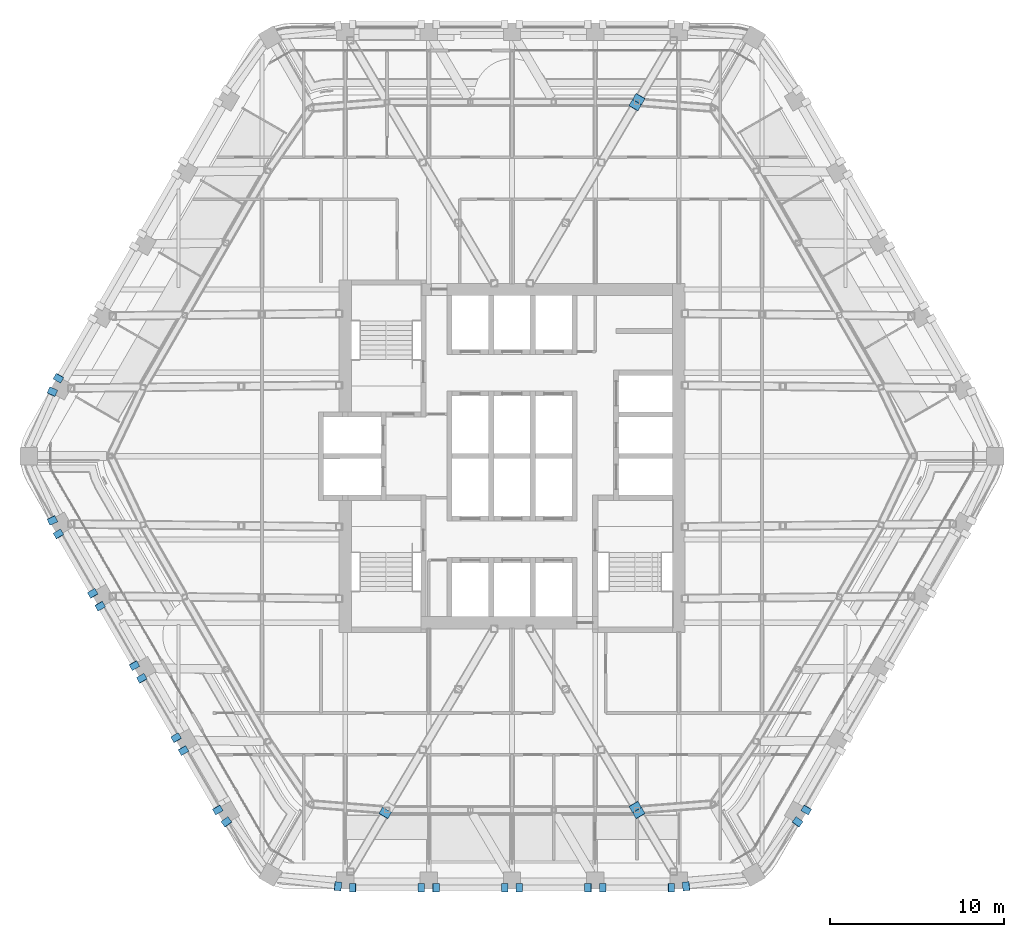
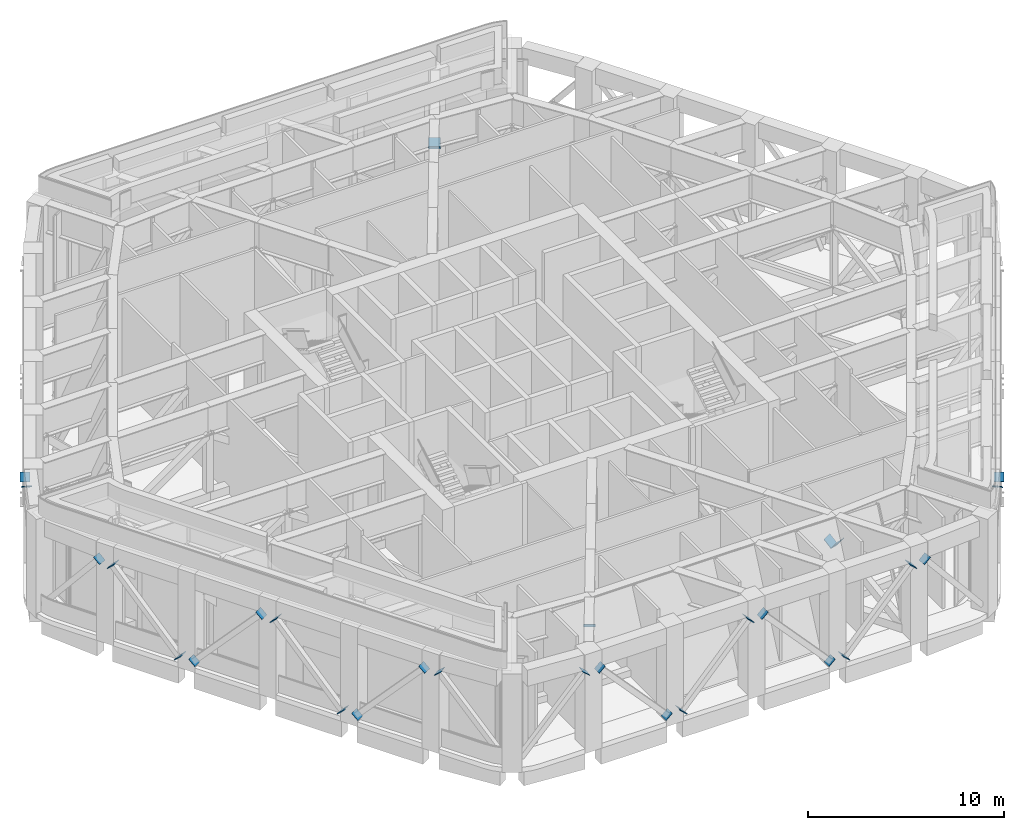
# One storey, part 20 of 24: 29 discrete accessories.
"""IFC4 building model written with IfcOpenShell, lengths in metres."""

import ifcopenshell
import ifcopenshell.guid

model = None  # the IFC model being written
_history = None  # IfcOwnerHistory: only IFC2X3 demands one
_inside = {}  # id of a spatial element -> (the spatial element, [elements in it])
_under = {}  # id of a project, library or spatial element -> (it, [spatial elements below it])
_declared = {}  # id of a project -> (the project, [libraries it declares])
_typed = {}  # id of a type object -> (the type object, [elements of that type])
_made_of = {}  # id of a material, layer set ... -> (it, [elements and type objects made of it])


def new_model(schema):
    """Start an empty IFC model of exactly this schema.

    Asked for "IFC4X3", IfcOpenShell would pick the latest addendum, in which some entities
    have other attributes; the version numbers below select the first issue.
    IFC2X3 requires an IfcOwnerHistory on every rooted entity: one is made here for all.
    """
    global model, _history
    if schema == "IFC4X3":
        model = ifcopenshell.file(schema_version=(4, 3, 0, 0))
    else:
        model = ifcopenshell.file(schema=schema)
    _inside.clear()
    _under.clear()
    _declared.clear()
    _typed.clear()
    _made_of.clear()
    _history = None
    if model.schema == "IFC2X3":
        org = make("IfcOrganization", Name="unknown")
        user = make(
            "IfcPersonAndOrganization",
            ThePerson=make("IfcPerson", FamilyName="unknown"),
            TheOrganization=org,
        )
        app = make(
            "IfcApplication",
            ApplicationDeveloper=org,
            Version="unknown",
            ApplicationFullName="unknown",
            ApplicationIdentifier="unknown",
        )
        _history = make(
            "IfcOwnerHistory",
            OwningUser=user,
            OwningApplication=app,
            ChangeAction="ADDED",
            CreationDate=0,
        )
    return model


def make(cls, **values):
    """One entity of the class cls with the attributes given. An attribute that is None is left unset."""
    return model.create_entity(
        cls, **{name: value for name, value in values.items() if value is not None}
    )


def rooted(cls, **values):
    """An entity with a GlobalId (a new one), such as an element, a storey or a relation."""
    return make(cls, GlobalId=ifcopenshell.guid.new(), OwnerHistory=_history, **values)


def si_unit(unit_type, name, prefix=None):
    """IfcSIUnit, for example si_unit("LENGTHUNIT", "METRE", prefix="MILLI")."""
    return make("IfcSIUnit", UnitType=unit_type, Prefix=prefix, Name=name)


def assignment(units):
    """IfcUnitAssignment: the units of a project."""
    return None if units is None else make("IfcUnitAssignment", Units=units)


def point(xyz):
    """IfcCartesianPoint."""
    return None if xyz is None else make("IfcCartesianPoint", Coordinates=xyz)


def direction(xyz):
    """IfcDirection."""
    return None if xyz is None else make("IfcDirection", DirectionRatios=xyz)


def frame(location, z_axis=None, x_axis=None):
    """IfcAxis2Placement3D, a coordinate frame: its origin and axes. An axis left out is left unset."""
    return make(
        "IfcAxis2Placement3D",
        Location=point(location),
        Axis=direction(z_axis),
        RefDirection=direction(x_axis),
    )


def frame_2d(location, x_axis=None):
    """IfcAxis2Placement2D, a coordinate frame in the plane: its origin and x axis."""
    return make(
        "IfcAxis2Placement2D", Location=point(location), RefDirection=direction(x_axis)
    )


def origin():
    """The frame at (0, 0, 0) with its axes left unset."""
    return frame((0.0, 0.0, 0.0))


def origin_2d():
    """The frame at (0, 0) in the plane with its x axis left unset."""
    return frame_2d((0.0, 0.0))


def place(relative_to, where):
    """IfcLocalPlacement: puts the frame where relative to a parent placement (None: the world)."""
    return make(
        "IfcLocalPlacement", PlacementRelTo=relative_to, RelativePlacement=where
    )


def context(
    kind, dimensions, precision=None, world=None, true_north=None, identifier=None
):
    """IfcGeometricRepresentationContext, for example the 3D "Model" context."""
    return make(
        "IfcGeometricRepresentationContext",
        ContextIdentifier=identifier,
        ContextType=kind,
        CoordinateSpaceDimension=dimensions,
        Precision=precision,
        WorldCoordinateSystem=world,
        TrueNorth=true_north,
    )


def subcontext(parent, identifier, kind, view, scale=None):
    """IfcGeometricRepresentationSubContext, for example "Body" below "Model"."""
    return make(
        "IfcGeometricRepresentationSubContext",
        ContextIdentifier=identifier,
        ContextType=kind,
        ParentContext=parent,
        TargetScale=scale,
        TargetView=view,
    )


def project(units=None, contexts=None):
    """IfcProject with its units and contexts."""
    return rooted(
        "IfcProject",
        Name="project",
        RepresentationContexts=contexts,
        UnitsInContext=assignment(units),
    )


def spatial(cls, under=None, at=None, **own):
    """A site, building, storey or space (cls), placed at a placement, below another one or the project."""
    s = rooted(cls, ObjectPlacement=at, **own)
    if under is not None:
        _under.setdefault(under.id(), (under, []))[1].append(s)
    return s


def profile(cls, at=None, kind="AREA", **sizes):
    """A parametric profile (cls). Its sizes go by their IFC names, for example OverallWidth=200.0."""
    return make(cls, ProfileType=kind, Position=at, **sizes)


def rectangle(**sizes):
    """IfcRectangleProfileDef."""
    return profile("IfcRectangleProfileDef", **sizes)


def extrude(swept, where, along, depth):
    """IfcExtrudedAreaSolid: the profile swept, set in the frame where, extruded along a direction by depth."""
    return make(
        "IfcExtrudedAreaSolid",
        SweptArea=swept,
        Position=where,
        ExtrudedDirection=direction(along),
        Depth=depth,
    )


def shape(context_of_items, identifier, shape_type, items):
    """IfcShapeRepresentation: the items that make up one representation, for example the "Body"."""
    return make(
        "IfcShapeRepresentation",
        ContextOfItems=context_of_items,
        RepresentationIdentifier=identifier,
        RepresentationType=shape_type,
        Items=items,
    )


def made_of(thing, what):
    """Note that an element or type object is made of a material, layer set ...; save() writes the relation."""
    if what is not None:
        _made_of.setdefault(what.id(), (what, []))[1].append(thing)
    return thing


def element(
    cls,
    number,
    at=None,
    inside=None,
    cuts=None,
    type_object=None,
    material=None,
    context=None,
    identifier="Body",
    shape_type=None,
    held_by="IfcProductDefinitionShape",
    body=None,
    shapes=None,
    **own,
):
    """One element of the class cls, such as IfcWall. Its Tag is "e" and its number.

    at: its placement. inside: the storey or other place that contains it. cuts: it is an
    opening in that element (IfcRelVoidsElement). A single representation is given by context,
    identifier, shape_type and body (its items); several are given by shapes. held_by: the class
    of the entity that holds the representations. save() writes the other relations.
    """
    e = rooted(cls, Tag="e%d" % number, ObjectPlacement=at, **own)
    if body is not None:
        shapes = [shape(context, identifier, shape_type, body)]
    if shapes is not None:
        e.Representation = make(held_by, Representations=shapes)
    if inside is not None:
        _inside.setdefault(inside.id(), (inside, []))[1].append(e)
    if cuts is not None:
        rooted(
            "IfcRelVoidsElement", RelatingBuildingElement=cuts, RelatedOpeningElement=e
        )
    if type_object is not None:
        _typed.setdefault(type_object.id(), (type_object, []))[1].append(e)
    return made_of(e, material)


def aggregate(whole, parts):
    """IfcRelAggregates: a whole, such as a stair, and the parts it consists of."""
    return rooted("IfcRelAggregates", RelatingObject=whole, RelatedObjects=parts)


def save(model, path):
    """Write the relations noted so far, then the file.

    IfcRelAggregates (storeys below a building ...), IfcRelContainedInSpatialStructure (elements
    in a storey), IfcRelDefinesByType, IfcRelAssociatesMaterial and IfcRelDeclares: one each for
    every whole, place, type object, material and project.
    """
    for whole, parts in _under.values():
        aggregate(whole, parts)
    for where, things in _inside.values():
        rooted(
            "IfcRelContainedInSpatialStructure",
            RelatedElements=things,
            RelatingStructure=where,
        )
    for kind, things in _typed.values():
        rooted("IfcRelDefinesByType", RelatedObjects=things, RelatingType=kind)
    for what, things in _made_of.values():
        rooted("IfcRelAssociatesMaterial", RelatedObjects=things, RelatingMaterial=what)
    for by, libraries in _declared.values():
        rooted("IfcRelDeclares", RelatingContext=by, RelatedDefinitions=libraries)
    model.write(path)


model = new_model("IFC4")

# Units and contexts
model_context = context("Model", 3, precision=1e-05, world=origin(), true_north=direction((0.0, 1.0)))
body_context = subcontext(model_context, "Body", "Model", "MODEL_VIEW")
ifc_project = project(units=[si_unit("LENGTHUNIT", "METRE"), si_unit("AREAUNIT", "SQUARE_METRE"), si_unit("VOLUMEUNIT", "CUBIC_METRE"), si_unit("PLANEANGLEUNIT", "RADIAN"), si_unit("MASSUNIT", "GRAM", prefix="KILO")], contexts=[model_context])

# Site, building, storey
site_placement = place(None, origin())
site = spatial("IfcSite", under=ifc_project, at=site_placement, CompositionType="ELEMENT")
building_placement = place(site_placement, origin())
building = spatial("IfcBuilding", under=site, at=building_placement, Name="Kolab Exchange Tower", CompositionType="ELEMENT")
storey_placement = place(building_placement, frame((0.0, 0.0, 216.800048828125)))
storey = spatial("IfcBuildingStorey", under=building, at=storey_placement, Name="L47", CompositionType="ELEMENT", Elevation=216.800048828125)

# Discrete accessories
discrete_accessory_1_placement = place(storey_placement, frame((7.093017578125, 20.203857421875, 4.050048828125), z_axis=(0.360705342934, 0.614173962293, 0.701913099764), x_axis=(-0.862285860494, 0.506421854576, 0.0)))
element("IfcDiscreteAccessory", 1, at=discrete_accessory_1_placement, inside=storey, Name="Gusset plate", ObjectType="GUSSET PLATE", PredefinedType="USERDEFINED", context=body_context, shape_type="SweptSolid", body=[
    extrude(rectangle(XDim=0.60009765625, YDim=0.60009765625, at=origin_2d()), origin(), (0.0, 0.0, 1.0), 0.025146484375),
])
discrete_accessory_2_placement = place(storey_placement, frame((7.306884765625, 20.5654296875, 4.050048828125), z_axis=(-0.360979904605, -0.62439767283, 0.692691168296), x_axis=(0.865734831114, -0.500502949238, 0.0)))
element("IfcDiscreteAccessory", 2, at=discrete_accessory_2_placement, inside=storey, Name="Gusset plate", ObjectType="GUSSET PLATE", PredefinedType="USERDEFINED", context=body_context, shape_type="SweptSolid", body=[
    extrude(rectangle(XDim=0.60009765625, YDim=0.60009765625, at=origin_2d()), origin(), (0.0, 0.0, 1.0), 0.02490234375),
])
discrete_accessory_3_placement = place(storey_placement, frame((7.093017578125, -20.203857421875, 4.050048828125), z_axis=(0.360705342934, -0.614173962293, 0.701913099764), x_axis=(0.862285860494, 0.506421854576, 0.0)))
element("IfcDiscreteAccessory", 3, at=discrete_accessory_3_placement, inside=storey, Name="Gusset plate", ObjectType="GUSSET PLATE", PredefinedType="USERDEFINED", context=body_context, shape_type="SweptSolid", body=[
    extrude(rectangle(XDim=0.60009765625, YDim=0.60009765625, at=origin_2d()), origin(), (0.0, 0.0, 1.0), 0.025146484375),
])
for number, where, z_axis, x_axis, name in (
    (4, (7.306884765625, -20.5654296875, 4.050048828125), (-0.360979904605, 0.62439767283, 0.692691168296), (-0.865734831114, -0.500502949238, 0.0), "Gusset plate"),
    (5, (-7.306884765625, -20.5654296875, 4.050048828125), (0.360979904605, 0.62439767283, 0.692691168296), (-0.865734831114, 0.500502949238, 0.0), "Gusset plate"),
):
    element("IfcDiscreteAccessory", number, at=place(storey_placement, frame(where, z_axis=z_axis, x_axis=x_axis)), inside=storey, Name=name, ObjectType="GUSSET PLATE", PredefinedType="USERDEFINED", context=body_context, shape_type="SweptSolid", body=[
        extrude(rectangle(XDim=0.60009765625, YDim=0.60009765625, at=origin_2d()), origin(), (0.0, 0.0, 1.0), 0.02490234375),
    ])
discrete_accessory_4_placement = place(storey_placement, frame((16.9501953125, -20.371337890625, 4.699951171875), z_axis=(-0.333702393387, -0.588886576564, 0.736108220706), x_axis=(0.870022185849, -0.493012571981, 0.0)))
element("IfcDiscreteAccessory", 6, at=discrete_accessory_4_placement, inside=storey, Name="Gusset plate", ObjectType="GUSSET PLATE", PredefinedType="USERDEFINED", context=body_context, shape_type="SweptSolid", body=[
    extrude(rectangle(XDim=0.5, YDim=0.5, at=origin_2d()), origin(), (0.0, 0.0, 1.0), 0.02490234375),
])
for number, where, z_axis, x_axis, name in (
    (7, (16.4404296875, -21.07763671875, 4.699951171875), (0.379320723824, 0.515487137504, 0.768367620053), (-0.805437640136, 0.592680527647, 0.0), "Gusset plate"),
    (8, (10.033447265625, -24.776611328125, 4.699951171875), (-0.633882435837, -0.068264262321, 0.770410960479), (0.10707319972, -0.994251140257, 0.0), "Gusset plate"),
    (9, (9.1669921875, -24.864990234375, 4.699951171875), (0.68231825036, 0.0, 0.731055268243), (0.0, 1.0, 0.0), "Gusset plate"),
):
    element("IfcDiscreteAccessory", number, at=place(storey_placement, frame(where, z_axis=z_axis, x_axis=x_axis)), inside=storey, Name=name, ObjectType="GUSSET PLATE", PredefinedType="USERDEFINED", context=body_context, shape_type="SweptSolid", body=[
        extrude(rectangle(XDim=0.5, YDim=0.5, at=origin_2d()), origin(), (0.0, 0.0, 1.0), 0.025146484375),
    ])
for number, where, z_axis, x_axis, name in (
    (10, (5.23291015625, -24.864990234375, 0.39990234375), (-0.677056530821, 0.0, -0.735931011762), (0.0, -1.0, 0.0), "Gusset plate"),
    (11, (4.3671875, -24.864990234375, 0.39990234375), (0.677056530821, 0.0, -0.735931011762), (0.0, 1.0, 0.0), "Gusset plate"),
    (12, (0.432861328125, -24.864990234375, 4.699951171875), (-0.677056530821, 0.0, 0.735931011762), (0.0, -1.0, 0.0), "Gusset plate"),
    (13, (-0.432861328125, -24.864990234375, 4.699951171875), (0.677056530821, 0.0, 0.735931011762), (0.0, 1.0, 0.0), "Gusset plate"),
    (14, (-4.3671875, -24.864990234375, 0.39990234375), (-0.677056530821, 0.0, -0.735931011762), (0.0, -1.0, 0.0), "Gusset plate"),
    (15, (-5.23291015625, -24.864990234375, 0.39990234375), (0.677056530821, 0.0, -0.735931011762), (0.0, 1.0, 0.0), "Gusset plate"),
):
    element("IfcDiscreteAccessory", number, at=place(storey_placement, frame(where, z_axis=z_axis, x_axis=x_axis)), inside=storey, Name=name, ObjectType="GUSSET PLATE", PredefinedType="USERDEFINED", context=body_context, shape_type="SweptSolid", body=[
        extrude(rectangle(XDim=0.5, YDim=0.5, at=origin_2d()), origin(), (0.0, 0.0, 1.0), 0.02490234375),
    ])
for number, where, z_axis, x_axis, name in (
    (16, (-9.1669921875, -24.864990234375, 4.699951171875), (-0.68231825036, 0.0, 0.731055268243), (0.0, -1.0, 0.0), "Gusset plate"),
    (17, (-10.033447265625, -24.776611328125, 4.699951171875), (0.633882435837, -0.068264262321, 0.770410960479), (0.10707319972, 0.994251140257, 0.0), "Gusset plate"),
    (18, (-16.4404296875, -21.07763671875, 4.699951171875), (-0.379320723824, 0.515487137504, 0.768367620053), (-0.805437640136, -0.592680527647, 0.0), "Gusset plate"),
):
    element("IfcDiscreteAccessory", number, at=place(storey_placement, frame(where, z_axis=z_axis, x_axis=x_axis)), inside=storey, Name=name, ObjectType="GUSSET PLATE", PredefinedType="USERDEFINED", context=body_context, shape_type="SweptSolid", body=[
        extrude(rectangle(XDim=0.5, YDim=0.5, at=origin_2d()), origin(), (0.0, 0.0, 1.0), 0.025146484375),
    ])
for number, where, z_axis, x_axis, name in (
    (19, (-16.9501953125, -20.371337890625, 4.699951171875), (0.333702393387, -0.588886576564, 0.736108220706), (0.870022185849, 0.493012571981, 0.0), "Gusset plate"),
    (20, (-18.917236328125, -16.96435546875, 0.39990234375), (-0.342381191631, 0.586939185653, -0.733673982067), (-0.863778900898, -0.503871025524, 0.0), "Gusset plate"),
    (21, (-19.350341796875, -16.214599609375, 0.39990234375), (0.344347443919, -0.580471405463, -0.737887379826), (0.860054653874, 0.510201913315, 0.0), "Gusset plate"),
    (22, (-21.3173828125, -12.8076171875, 4.699951171875), (-0.333702393387, 0.588886576564, 0.736108220706), (-0.870022185849, -0.493012571981, 0.0), "Gusset plate"),
    (23, (-21.750244140625, -12.0576171875, 4.699951171875), (0.333702393387, -0.588886576564, 0.736108220706), (0.870022185849, 0.493012571981, 0.0), "Gusset plate"),
    (24, (-23.71728515625, -8.650634765625, 0.39990234375), (-0.333702393387, 0.588886576564, -0.736108220706), (-0.870022185849, -0.493012571981, 0.0), "Gusset plate"),
    (25, (-24.150390625, -7.900634765625, 0.39990234375), (0.342381191631, -0.586939185653, -0.733673982067), (0.863778900898, 0.503871025524, 0.0), "Gusset plate"),
    (26, (-26.1171875, -4.49365234375, 4.699951171875), (-0.342381191631, 0.586939185653, 0.733673982067), (-0.863778900898, -0.503871025524, 0.0), "Gusset plate"),
    (27, (-26.47412109375, -3.69921875, 4.699951171875), (0.264109997004, -0.577129252713, 0.772766287531), (0.909307898958, 0.41612395376, 0.0), "Gusset plate"),
    (28, (-26.47412109375, 3.69921875, 4.699951171875), (0.264109997004, 0.577129252713, 0.772766287531), (-0.909307898958, 0.41612395376, 0.0), "Gusset plate"),
    (29, (-26.1171875, 4.49365234375, 4.699951171875), (-0.342381191631, -0.586939185653, 0.733673982067), (0.863778900898, -0.503871025524, 0.0), "Gusset plate"),
):
    element("IfcDiscreteAccessory", number, at=place(storey_placement, frame(where, z_axis=z_axis, x_axis=x_axis)), inside=storey, Name=name, ObjectType="GUSSET PLATE", PredefinedType="USERDEFINED", context=body_context, shape_type="SweptSolid", body=[
        extrude(rectangle(XDim=0.5, YDim=0.5, at=origin_2d()), origin(), (0.0, 0.0, 1.0), 0.02490234375),
    ])

save(model, "model.ifc")
